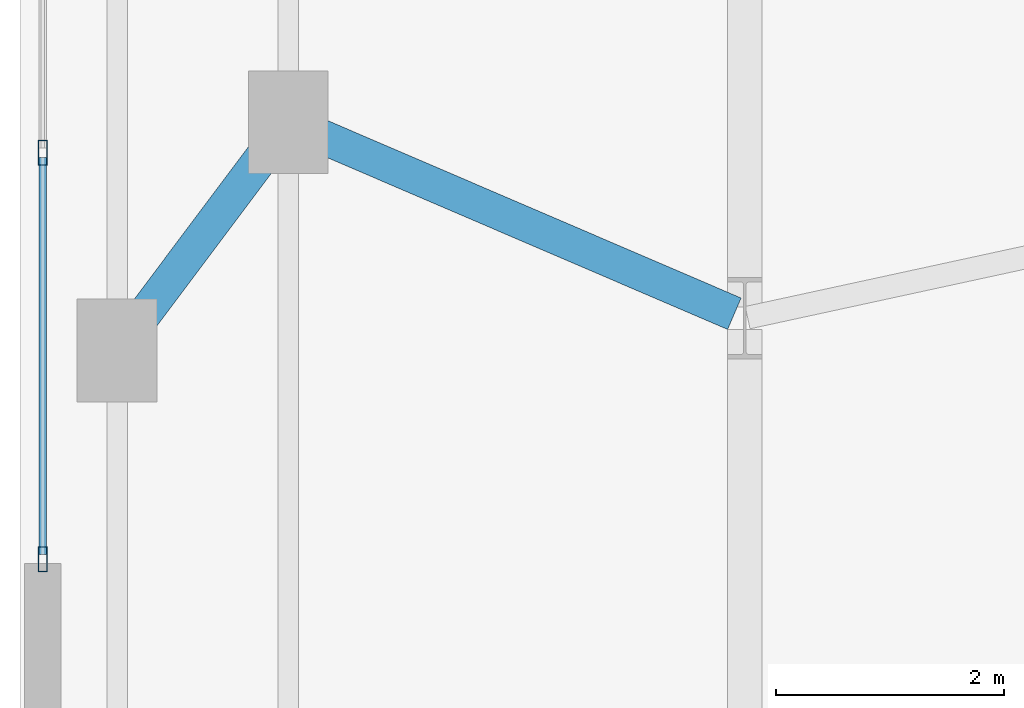
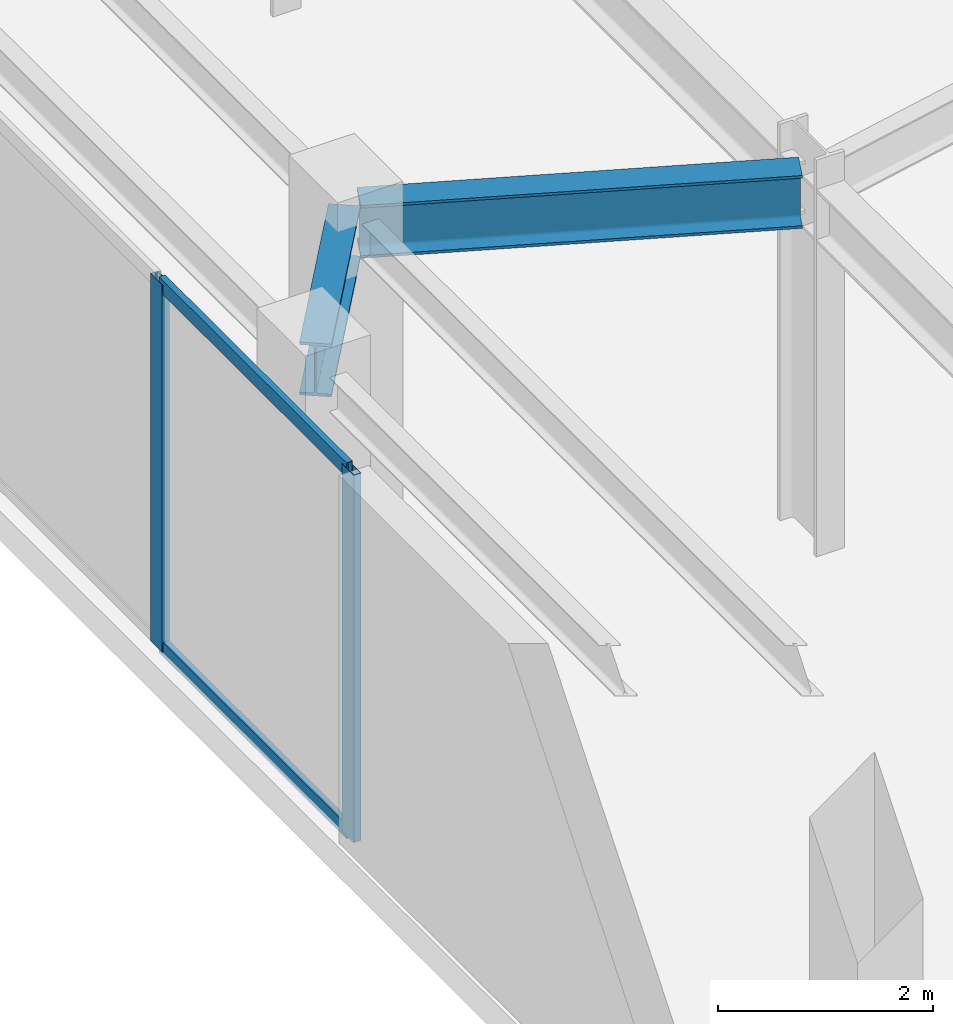
# One storey, part 5 of 21: 4 members, 2 beams, 1 element without a shape of its own.
"""IFC4 building model written with IfcOpenShell, lengths in metres."""

from ifc_helpers import new_model, si_unit, direction, frame, origin, origin_2d, place, context, subcontext, project, spatial, hollow_rectangle, i_section, extrude, material, layer, layer_set, material_profile, profile_set, type_object, element, aggregate, save


model = new_model("IFC4")

# Units and contexts
model_context = context("Model", 3, precision=1e-05, world=origin(), true_north=direction((0.0, 1.0)))
body_context = subcontext(model_context, "Body", "Model", "MODEL_VIEW")
ifc_project = project(units=[si_unit("LENGTHUNIT", "METRE"), si_unit("AREAUNIT", "SQUARE_METRE"), si_unit("VOLUMEUNIT", "CUBIC_METRE"), si_unit("PLANEANGLEUNIT", "RADIAN"), si_unit("MASSUNIT", "GRAM", prefix="KILO")], contexts=[model_context])

# Site, building, storey
site_placement = place(None, origin())
site = spatial("IfcSite", under=ifc_project, at=site_placement, CompositionType="ELEMENT")
building_placement = place(site_placement, origin())
building = spatial("IfcBuilding", under=site, at=building_placement, Name="Qobustan Lattice House", CompositionType="ELEMENT")
storey_placement = place(building_placement, frame((0.0, 0.0, 4.5)))
storey = spatial("IfcBuildingStorey", under=building, at=storey_placement, Name="L01", CompositionType="ELEMENT", Elevation=4.5)

# Beams
ifc_material_1 = material(Name="Steel S355", Category="steel")
ifc_material_profile_1 = material_profile(ifc_material_1, i_section(OverallWidth=0.300048828125, OverallDepth=0.60009765625, WebThickness=0.015380859375, FlangeThickness=0.030029296875, FilletRadius=0.027099609375, at=origin_2d()), Name="HEB600")
ifc_profile_set_1 = profile_set([ifc_material_profile_1], Name="Steel S355")
beam_type = type_object("IfcBeamType", Name="BM-POD-HEB600", PredefinedType="USERDEFINED", material=ifc_profile_set_1)
beam_1_placement = place(storey_placement, frame((-37.577880859375, -5.2373046875, 3.8701171875), z_axis=(0.599965431752, 0.800025925019, 0.0), x_axis=(-0.800025925019, 0.599965431752, 0.0)))
element("IfcBeam", 1, at=beam_1_placement, inside=storey, type_object=beam_type, Name="L01 setback tie girder PWL2", ObjectType="GIRDER", PredefinedType="USERDEFINED", context=body_context, shape_type="SweptSolid", body=[
    extrude(i_section(OverallWidth=0.300048828125, OverallDepth=0.60009765625, WebThickness=0.015380859375, FlangeThickness=0.030029296875, FilletRadius=0.027099609375, at=origin_2d()), origin(), (0.0, 0.0, 1.0), 2.260009765625),
])
beam_2_placement = place(storey_placement, frame((-36.039794921875, -3.380615234375, 3.8701171875), z_axis=(0.918949362679, -0.394375542893, 0.0), x_axis=(0.394375542893, 0.918949362679, 0.0)))
element("IfcBeam", 2, at=beam_2_placement, inside=storey, type_object=beam_type, Name="L01 podium radial girder PW2", ObjectType="GIRDER", PredefinedType="USERDEFINED", context=body_context, shape_type="SweptSolid", body=[
    extrude(i_section(OverallWidth=0.300048828125, OverallDepth=0.60009765625, WebThickness=0.015380859375, FlangeThickness=0.030029296875, FilletRadius=0.027099609375, at=origin_2d()), origin(), (0.0, 0.0, 1.0), 4.1328125),
])

# Curtain wall, members
ifc_material_2 = material(Name="Anodised aluminium and low-E glazing", Category="aluminium")
ifc_layer = layer(ifc_material_2, 0.219970703125)
ifc_layer_set = layer_set([ifc_layer], Name="Anodised aluminium and low-E glazing")
curtain_wall_type = type_object("IfcCurtainWallType", Name="CW-POD-01", PredefinedType="USERDEFINED", material=ifc_layer_set)
curtain_wall_placement = place(storey_placement, origin())
curtain_wall = element("IfcCurtainWall", 3, at=curtain_wall_placement, inside=storey, type_object=curtain_wall_type, Name="L01 W podium colonnade curtain wall", ObjectType="CURTAIN WALL", PredefinedType="USERDEFINED")
ifc_material_3 = material(Name="Anodised aluminium EN AW-6063 T6", Category="aluminium")
ifc_material_profile_2 = material_profile(ifc_material_3, hollow_rectangle(XDim=0.080078125, YDim=0.219970703125, WallThickness=0.0048828125, at=origin_2d()), Name="CWM-220x80")
ifc_profile_set_2 = profile_set([ifc_material_profile_2], Name="Anodised aluminium EN AW-6063 T6")
member_type_1 = type_object("IfcMemberType", Name="CWM-MAIN-220", PredefinedType="MULLION", material=ifc_profile_set_2)
member_1_placement = place(storey_placement, frame((-38.300048828125, -7.159912109375, 0.0), z_axis=(0.0, 0.0, 1.0), x_axis=(-1.0, 0.0, 0.0)))
member_1 = element("IfcMember", 4, at=member_1_placement, type_object=member_type_1, Name="CW-P1 mullion 1", PredefinedType="MULLION", context=body_context, shape_type="SweptSolid", body=[
    extrude(hollow_rectangle(XDim=0.080078125, YDim=0.219970703125, WallThickness=0.0048828125, at=origin_2d()), origin(), (0.0, 0.0, 1.0), 4.169921875),
])
member_2_placement = place(storey_placement, frame((-38.300048828125, -3.60009765625, 0.0), z_axis=(0.0, 0.0, 1.0), x_axis=(-1.0, 0.0, 0.0)))
member_2 = element("IfcMember", 5, at=member_2_placement, type_object=member_type_1, Name="CW-P1 mullion 2", PredefinedType="MULLION", context=body_context, shape_type="SweptSolid", body=[
    extrude(hollow_rectangle(XDim=0.080078125, YDim=0.219970703125, WallThickness=0.0048828125, at=origin_2d()), origin(), (0.0, 0.0, 1.0), 4.169921875),
])
ifc_material_4 = material(Name="Anodised aluminium EN AW-6063 T6", Category="aluminium")
ifc_material_profile_3 = material_profile(ifc_material_4, hollow_rectangle(XDim=0.06494140625, YDim=0.159912109375, WallThickness=0.00390625, at=origin_2d()), Name="CWT-160x65")
ifc_profile_set_3 = profile_set([ifc_material_profile_3], Name="Anodised aluminium EN AW-6063 T6")
member_type_2 = type_object("IfcMemberType", Name="CWT-HOR-160", PredefinedType="USERDEFINED", material=ifc_profile_set_3)
member_3_placement = place(storey_placement, frame((-38.300048828125, -7.1201171875, 0.032470703125), z_axis=(0.0, 1.0, 0.0), x_axis=(-1.0, 0.0, 0.0)))
member_3 = element("IfcMember", 6, at=member_3_placement, type_object=member_type_2, Name="CW-P1 transom 1.1", ObjectType="TRANSOM", PredefinedType="USERDEFINED", context=body_context, shape_type="SweptSolid", body=[
    extrude(hollow_rectangle(XDim=0.06494140625, YDim=0.159912109375, WallThickness=0.00390625, at=origin_2d()), origin(), (0.0, 0.0, 1.0), 3.480224609375),
])
member_4_placement = place(storey_placement, frame((-38.300048828125, -7.1201171875, 4.137451171875), z_axis=(0.0, 1.0, 0.0), x_axis=(-1.0, 0.0, 0.0)))
member_4 = element("IfcMember", 7, at=member_4_placement, type_object=member_type_2, Name="CW-P1 transom 1.2", ObjectType="TRANSOM", PredefinedType="USERDEFINED", context=body_context, shape_type="SweptSolid", body=[
    extrude(hollow_rectangle(XDim=0.06494140625, YDim=0.159912109375, WallThickness=0.00390625, at=origin_2d()), origin(), (0.0, 0.0, 1.0), 3.480224609375),
])
aggregate(curtain_wall, [member_1, member_2, member_3, member_4])

save(model, "model.ifc")
